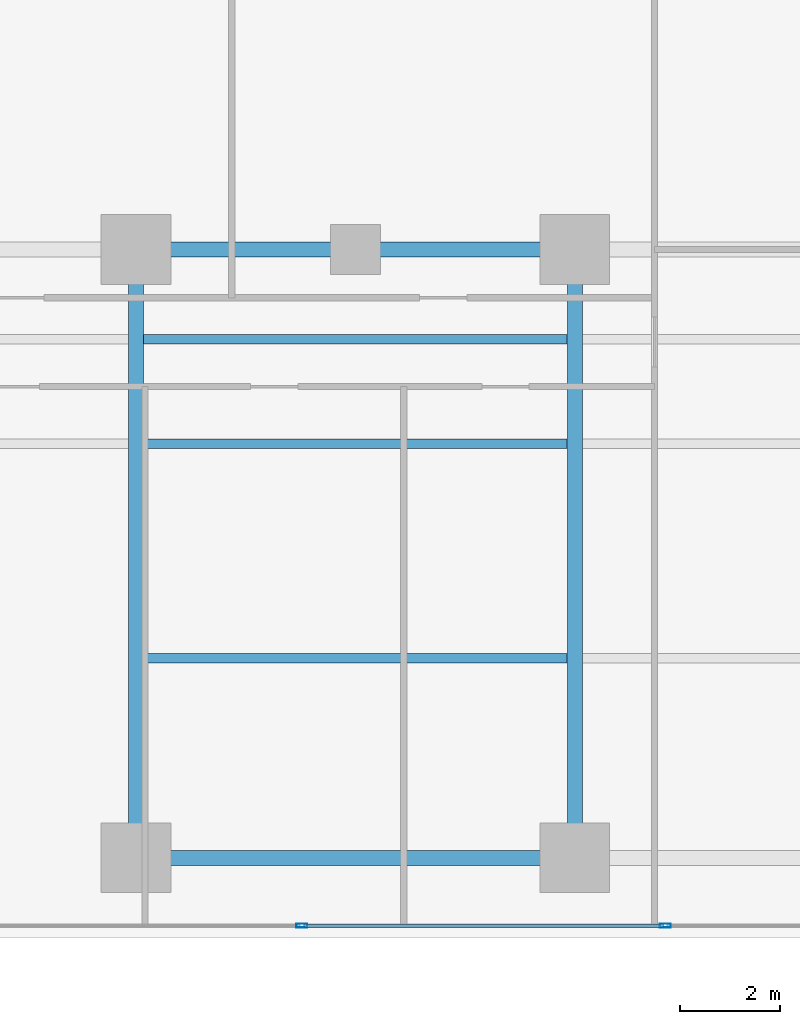
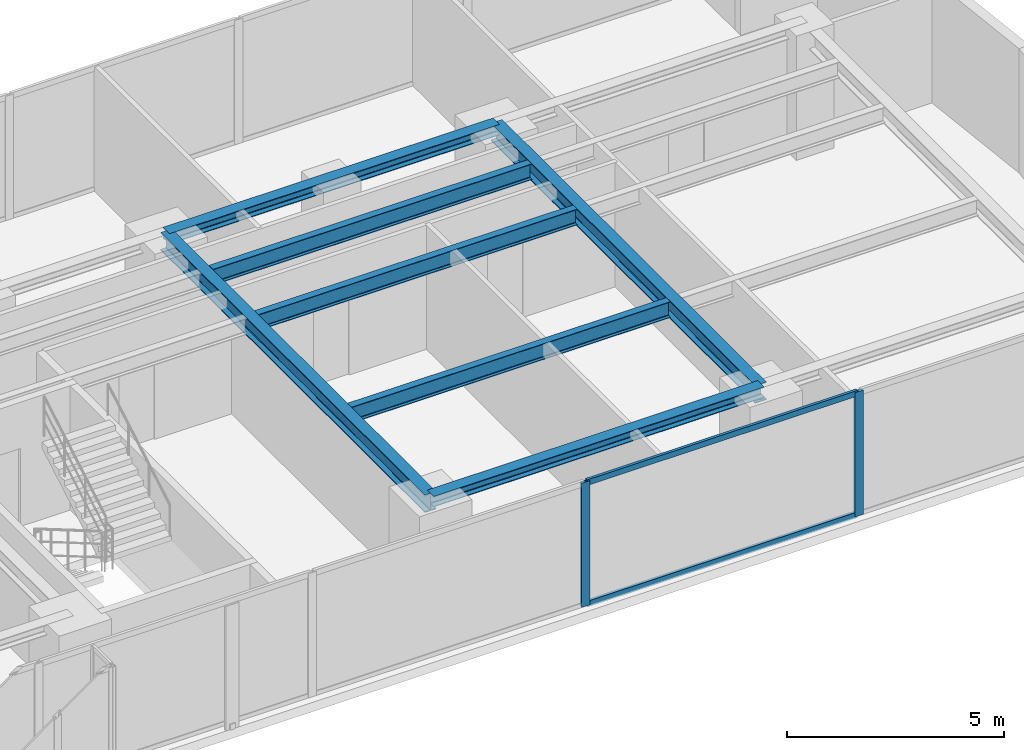
# One storey, part 11 of 25: 7 beams, 4 members, 1 element without a shape of its own.
"""IFC4 building model written with IfcOpenShell, lengths in metres."""

import ifcopenshell
import ifcopenshell.guid

model = None  # the IFC model being written
_history = None  # IfcOwnerHistory: only IFC2X3 demands one
_inside = {}  # id of a spatial element -> (the spatial element, [elements in it])
_under = {}  # id of a project, library or spatial element -> (it, [spatial elements below it])
_declared = {}  # id of a project -> (the project, [libraries it declares])
_typed = {}  # id of a type object -> (the type object, [elements of that type])
_made_of = {}  # id of a material, layer set ... -> (it, [elements and type objects made of it])


def new_model(schema):
    """Start an empty IFC model of exactly this schema.

    Asked for "IFC4X3", IfcOpenShell would pick the latest addendum, in which some entities
    have other attributes; the version numbers below select the first issue.
    IFC2X3 requires an IfcOwnerHistory on every rooted entity: one is made here for all.
    """
    global model, _history
    if schema == "IFC4X3":
        model = ifcopenshell.file(schema_version=(4, 3, 0, 0))
    else:
        model = ifcopenshell.file(schema=schema)
    _inside.clear()
    _under.clear()
    _declared.clear()
    _typed.clear()
    _made_of.clear()
    _history = None
    if model.schema == "IFC2X3":
        org = make("IfcOrganization", Name="unknown")
        user = make(
            "IfcPersonAndOrganization",
            ThePerson=make("IfcPerson", FamilyName="unknown"),
            TheOrganization=org,
        )
        app = make(
            "IfcApplication",
            ApplicationDeveloper=org,
            Version="unknown",
            ApplicationFullName="unknown",
            ApplicationIdentifier="unknown",
        )
        _history = make(
            "IfcOwnerHistory",
            OwningUser=user,
            OwningApplication=app,
            ChangeAction="ADDED",
            CreationDate=0,
        )
    return model


def make(cls, **values):
    """One entity of the class cls with the attributes given. An attribute that is None is left unset."""
    return model.create_entity(
        cls, **{name: value for name, value in values.items() if value is not None}
    )


def rooted(cls, **values):
    """An entity with a GlobalId (a new one), such as an element, a storey or a relation."""
    return make(cls, GlobalId=ifcopenshell.guid.new(), OwnerHistory=_history, **values)


def si_unit(unit_type, name, prefix=None):
    """IfcSIUnit, for example si_unit("LENGTHUNIT", "METRE", prefix="MILLI")."""
    return make("IfcSIUnit", UnitType=unit_type, Prefix=prefix, Name=name)


def assignment(units):
    """IfcUnitAssignment: the units of a project."""
    return None if units is None else make("IfcUnitAssignment", Units=units)


def point(xyz):
    """IfcCartesianPoint."""
    return None if xyz is None else make("IfcCartesianPoint", Coordinates=xyz)


def direction(xyz):
    """IfcDirection."""
    return None if xyz is None else make("IfcDirection", DirectionRatios=xyz)


def frame(location, z_axis=None, x_axis=None):
    """IfcAxis2Placement3D, a coordinate frame: its origin and axes. An axis left out is left unset."""
    return make(
        "IfcAxis2Placement3D",
        Location=point(location),
        Axis=direction(z_axis),
        RefDirection=direction(x_axis),
    )


def frame_2d(location, x_axis=None):
    """IfcAxis2Placement2D, a coordinate frame in the plane: its origin and x axis."""
    return make(
        "IfcAxis2Placement2D", Location=point(location), RefDirection=direction(x_axis)
    )


def origin():
    """The frame at (0, 0, 0) with its axes left unset."""
    return frame((0.0, 0.0, 0.0))


def origin_with_axes():
    """The frame at (0, 0, 0) with the z axis (0, 0, 1) and the x axis (1, 0, 0) written out."""
    return frame((0.0, 0.0, 0.0), z_axis=(0.0, 0.0, 1.0), x_axis=(1.0, 0.0, 0.0))


def origin_2d():
    """The frame at (0, 0) in the plane with its x axis left unset."""
    return frame_2d((0.0, 0.0))


def place(relative_to, where):
    """IfcLocalPlacement: puts the frame where relative to a parent placement (None: the world)."""
    return make(
        "IfcLocalPlacement", PlacementRelTo=relative_to, RelativePlacement=where
    )


def context(
    kind, dimensions, precision=None, world=None, true_north=None, identifier=None
):
    """IfcGeometricRepresentationContext, for example the 3D "Model" context."""
    return make(
        "IfcGeometricRepresentationContext",
        ContextIdentifier=identifier,
        ContextType=kind,
        CoordinateSpaceDimension=dimensions,
        Precision=precision,
        WorldCoordinateSystem=world,
        TrueNorth=true_north,
    )


def subcontext(parent, identifier, kind, view, scale=None):
    """IfcGeometricRepresentationSubContext, for example "Body" below "Model"."""
    return make(
        "IfcGeometricRepresentationSubContext",
        ContextIdentifier=identifier,
        ContextType=kind,
        ParentContext=parent,
        TargetScale=scale,
        TargetView=view,
    )


def project(units=None, contexts=None):
    """IfcProject with its units and contexts."""
    return rooted(
        "IfcProject",
        Name="project",
        RepresentationContexts=contexts,
        UnitsInContext=assignment(units),
    )


def spatial(cls, under=None, at=None, **own):
    """A site, building, storey or space (cls), placed at a placement, below another one or the project."""
    s = rooted(cls, ObjectPlacement=at, **own)
    if under is not None:
        _under.setdefault(under.id(), (under, []))[1].append(s)
    return s


def profile(cls, at=None, kind="AREA", **sizes):
    """A parametric profile (cls). Its sizes go by their IFC names, for example OverallWidth=200.0."""
    return make(cls, ProfileType=kind, Position=at, **sizes)


def hollow_rectangle(**sizes):
    """IfcRectangleHollowProfileDef."""
    return profile("IfcRectangleHollowProfileDef", **sizes)


def i_section(**sizes):
    """IfcIShapeProfileDef."""
    return profile("IfcIShapeProfileDef", **sizes)


def extrude(swept, where, along, depth):
    """IfcExtrudedAreaSolid: the profile swept, set in the frame where, extruded along a direction by depth."""
    return make(
        "IfcExtrudedAreaSolid",
        SweptArea=swept,
        Position=where,
        ExtrudedDirection=direction(along),
        Depth=depth,
    )


def shape(context_of_items, identifier, shape_type, items):
    """IfcShapeRepresentation: the items that make up one representation, for example the "Body"."""
    return make(
        "IfcShapeRepresentation",
        ContextOfItems=context_of_items,
        RepresentationIdentifier=identifier,
        RepresentationType=shape_type,
        Items=items,
    )


def source(mapping_origin, context_of_items, identifier, shape_type, items):
    """IfcRepresentationMap: a shape defined once, which mapped items show again and again."""
    return make(
        "IfcRepresentationMap",
        MappingOrigin=mapping_origin,
        MappedRepresentation=shape(context_of_items, identifier, shape_type, items),
    )


def transform(
    local_origin,
    x_axis=None,
    y_axis=None,
    z_axis=None,
    scale=None,
    scale2=None,
    scale3=None,
    uniform=True,
):
    """IfcCartesianTransformationOperator3D, or its non-uniform kind. x_axis, y_axis, z_axis: its Axis1, 2, 3."""
    if uniform:
        return make(
            "IfcCartesianTransformationOperator3D",
            Axis1=direction(x_axis),
            Axis2=direction(y_axis),
            LocalOrigin=point(local_origin),
            Scale=scale,
            Axis3=direction(z_axis),
        )
    return make(
        "IfcCartesianTransformationOperator3DnonUniform",
        Axis1=direction(x_axis),
        Axis2=direction(y_axis),
        LocalOrigin=point(local_origin),
        Scale=scale,
        Axis3=direction(z_axis),
        Scale2=scale2,
        Scale3=scale3,
    )


def mapped(mapping_source, mapping_target):
    """IfcMappedItem: shows the shape of a source again, moved by a transform."""
    return make(
        "IfcMappedItem", MappingSource=mapping_source, MappingTarget=mapping_target
    )


def material(Name=None, Category=None):
    """IfcMaterial."""
    return make("IfcMaterial", Name=Name, Category=Category)


def layer(
    of_material, thickness, ventilated=None, Name=None, Category=None, Priority=None
):
    """IfcMaterialLayer: one layer of a wall or slab, of a material (None: an air gap)."""
    return make(
        "IfcMaterialLayer",
        Material=of_material,
        LayerThickness=thickness,
        IsVentilated=ventilated,
        Name=Name,
        Category=Category,
        Priority=Priority,
    )


def layer_set(layers, Name=None):
    """IfcMaterialLayerSet."""
    return make("IfcMaterialLayerSet", MaterialLayers=layers, LayerSetName=Name)


def material_profile(
    of_material, cross_section, Name=None, Category=None, Priority=None
):
    """IfcMaterialProfile: a cross section and its material."""
    return make(
        "IfcMaterialProfile",
        Name=Name,
        Material=of_material,
        Profile=cross_section,
        Priority=Priority,
        Category=Category,
    )


def profile_set(profiles, Name=None, composite=None):
    """IfcMaterialProfileSet."""
    return make(
        "IfcMaterialProfileSet",
        Name=Name,
        MaterialProfiles=profiles,
        CompositeProfile=composite,
    )


def made_of(thing, what):
    """Note that an element or type object is made of a material, layer set ...; save() writes the relation."""
    if what is not None:
        _made_of.setdefault(what.id(), (what, []))[1].append(thing)
    return thing


def type_object(cls, material=None, **own):
    """A type object (cls), such as IfcWallType, which elements share."""
    return made_of(rooted(cls, **own), material)


def element(
    cls,
    number,
    at=None,
    inside=None,
    cuts=None,
    type_object=None,
    material=None,
    context=None,
    identifier="Body",
    shape_type=None,
    held_by="IfcProductDefinitionShape",
    body=None,
    shapes=None,
    **own,
):
    """One element of the class cls, such as IfcWall. Its Tag is "e" and its number.

    at: its placement. inside: the storey or other place that contains it. cuts: it is an
    opening in that element (IfcRelVoidsElement). A single representation is given by context,
    identifier, shape_type and body (its items); several are given by shapes. held_by: the class
    of the entity that holds the representations. save() writes the other relations.
    """
    e = rooted(cls, Tag="e%d" % number, ObjectPlacement=at, **own)
    if body is not None:
        shapes = [shape(context, identifier, shape_type, body)]
    if shapes is not None:
        e.Representation = make(held_by, Representations=shapes)
    if inside is not None:
        _inside.setdefault(inside.id(), (inside, []))[1].append(e)
    if cuts is not None:
        rooted(
            "IfcRelVoidsElement", RelatingBuildingElement=cuts, RelatedOpeningElement=e
        )
    if type_object is not None:
        _typed.setdefault(type_object.id(), (type_object, []))[1].append(e)
    return made_of(e, material)


def aggregate(whole, parts):
    """IfcRelAggregates: a whole, such as a stair, and the parts it consists of."""
    return rooted("IfcRelAggregates", RelatingObject=whole, RelatedObjects=parts)


def save(model, path):
    """Write the relations noted so far, then the file.

    IfcRelAggregates (storeys below a building ...), IfcRelContainedInSpatialStructure (elements
    in a storey), IfcRelDefinesByType, IfcRelAssociatesMaterial and IfcRelDeclares: one each for
    every whole, place, type object, material and project.
    """
    for whole, parts in _under.values():
        aggregate(whole, parts)
    for where, things in _inside.values():
        rooted(
            "IfcRelContainedInSpatialStructure",
            RelatedElements=things,
            RelatingStructure=where,
        )
    for kind, things in _typed.values():
        rooted("IfcRelDefinesByType", RelatedObjects=things, RelatingType=kind)
    for what, things in _made_of.values():
        rooted("IfcRelAssociatesMaterial", RelatedObjects=things, RelatingMaterial=what)
    for by, libraries in _declared.values():
        rooted("IfcRelDeclares", RelatingContext=by, RelatedDefinitions=libraries)
    model.write(path)


model = new_model("IFC4")

# Units and contexts
model_context = context("Model", 3, precision=1e-05, world=origin(), true_north=direction((0.0, 1.0)))
body_context = subcontext(model_context, "Body", "Model", "MODEL_VIEW")
ifc_project = project(units=[si_unit("LENGTHUNIT", "METRE"), si_unit("AREAUNIT", "SQUARE_METRE"), si_unit("VOLUMEUNIT", "CUBIC_METRE"), si_unit("PLANEANGLEUNIT", "RADIAN"), si_unit("MASSUNIT", "GRAM", prefix="KILO")], contexts=[model_context])

# Site, building, storey
site_placement = place(None, origin())
site = spatial("IfcSite", under=ifc_project, at=site_placement, CompositionType="ELEMENT")
building_placement = place(site_placement, origin())
building = spatial("IfcBuilding", under=site, at=building_placement, Name="Kolvaren Waterfront Exchange", CompositionType="ELEMENT")
storey_placement = place(building_placement, frame((0.0, 0.0, 106.89990234375)))
storey = spatial("IfcBuildingStorey", under=building, at=storey_placement, Name="L27", CompositionType="ELEMENT", Elevation=106.89990234375)

# Beams
ifc_material_1 = material(Name="Steel S355", Category="steel")
ifc_material_profile_1 = material_profile(ifc_material_1, i_section(OverallWidth=0.300048828125, OverallDepth=0.300048828125, WebThickness=0.010986328125, FlangeThickness=0.01904296875, FilletRadius=0.027099609375, at=origin_2d()), Name="HEB300")
ifc_profile_set_1 = profile_set([ifc_material_profile_1], Name="Steel S355")
beam_type_1 = type_object("IfcBeamType", Name="STR-BM-HEB300", PredefinedType="SPANDREL", material=ifc_profile_set_1)
for number, where, z_axis, x_axis, name in (
    (1, (36.800048828125, 5.199951171875, 3.35009765625), (1.0, 0.0, 0.0), (0.0, 1.0, 0.0), "L27 east-arm spandrel S3"),
    (2, (36.800048828125, 17.39990234375, 3.35009765625), (1.0, 0.0, 0.0), (0.0, 1.0, 0.0), "L27 east-arm spandrel N3"),
):
    element("IfcBeam", number, at=place(storey_placement, frame(where, z_axis=z_axis, x_axis=x_axis)), inside=storey, type_object=beam_type_1, Name=name, PredefinedType="SPANDREL", context=body_context, shape_type="SweptSolid", body=[
        extrude(i_section(OverallWidth=0.300048828125, OverallDepth=0.300048828125, WebThickness=0.010986328125, FlangeThickness=0.01904296875, FilletRadius=0.027099609375, at=origin_2d()), origin(), (0.0, 0.0, 1.0), 8.800048828125),
    ])
ifc_material_profile_2 = material_profile(ifc_material_1, i_section(OverallWidth=0.300048828125, OverallDepth=0.5, WebThickness=0.014404296875, FlangeThickness=0.028076171875, FilletRadius=0.027099609375, at=origin_2d()), Name="HEB500")
ifc_profile_set_2 = profile_set([ifc_material_profile_2], Name="Steel S355")
beam_type_2 = type_object("IfcBeamType", Name="STR-BM-HEB500", PredefinedType="BEAM", material=ifc_profile_set_2)
for number, where, z_axis, x_axis, name in (
    (3, (36.800048828125, 5.199951171875, 3.25), (0.0, 1.0, 0.0), (-1.0, 0.0, 0.0), "L27 east-arm transverse girder X36"),
    (4, (45.60009765625, 5.199951171875, 3.25), (0.0, 1.0, 0.0), (-1.0, 0.0, 0.0), "L27 east-arm transverse girder X45"),
):
    element("IfcBeam", number, at=place(storey_placement, frame(where, z_axis=z_axis, x_axis=x_axis)), inside=storey, type_object=beam_type_2, Name=name, PredefinedType="BEAM", context=body_context, shape_type="SweptSolid", body=[
        extrude(i_section(OverallWidth=0.300048828125, OverallDepth=0.5, WebThickness=0.014404296875, FlangeThickness=0.028076171875, FilletRadius=0.027099609375, at=origin_2d()), origin(), (0.0, 0.0, 1.0), 12.199951171875),
    ])
ifc_material_profile_3 = material_profile(ifc_material_1, i_section(OverallWidth=0.18994140625, OverallDepth=0.449951171875, WebThickness=0.009521484375, FlangeThickness=0.0146484375, FilletRadius=0.02099609375, at=origin_2d()), Name="IPE450")
ifc_profile_set_3 = profile_set([ifc_material_profile_3], Name="Steel S355")
beam_type_3 = type_object("IfcBeamType", Name="STR-BM-IPE450", PredefinedType="JOIST", material=ifc_profile_set_3)
for number, where, z_axis, x_axis, name in (
    (5, (36.951904296875, 13.5, 3.275146484375), (1.0, 0.0, 0.0), (0.0, 1.0, 0.0), "L27 east-arm composite joist 3A"),
    (6, (36.951904296875, 15.60009765625, 3.275146484375), (1.0, 0.0, 0.0), (0.0, 1.0, 0.0), "L27 east-arm composite joist 3C"),
    (7, (36.951904296875, 9.199951171875, 3.275146484375), (1.0, 0.0, 0.0), (0.0, 1.0, 0.0), "L27 east-arm composite joist 3B"),
):
    element("IfcBeam", number, at=place(storey_placement, frame(where, z_axis=z_axis, x_axis=x_axis)), inside=storey, type_object=beam_type_3, Name=name, PredefinedType="JOIST", context=body_context, shape_type="SweptSolid", body=[
        extrude(i_section(OverallWidth=0.18994140625, OverallDepth=0.449951171875, WebThickness=0.009521484375, FlangeThickness=0.0146484375, FilletRadius=0.02099609375, at=origin_2d()), origin(), (0.0, 0.0, 1.0), 8.49609375),
    ])

# Curtain wall, members
ifc_material_2 = material(Name="Anodised bronze aluminium 6063-T6", Category="aluminium")
ifc_layer = layer(ifc_material_2, 0.219970703125, Name="Anodised bronze aluminium 6063-T6")
ifc_layer_set = layer_set([ifc_layer], Name="Anodised bronze aluminium 6063-T6")
curtain_wall_type = type_object("IfcCurtainWallType", Name="ARC-CW-SYS1", PredefinedType="USERDEFINED", material=ifc_layer_set)
curtain_wall_placement = place(storey_placement, origin())
curtain_wall = element("IfcCurtainWall", 8, at=curtain_wall_placement, inside=storey, type_object=curtain_wall_type, Name="L27 stick curtain wall CW1 (CW-L27-S)", ObjectType="STICK CURTAIN WALL", PredefinedType="USERDEFINED")
ifc_material_3 = material(Name="Anodised aluminium 6063-T6", Category="aluminium")
ifc_material_profile_4 = material_profile(ifc_material_3, hollow_rectangle(XDim=0.074951171875, YDim=0.159912109375, WallThickness=0.00439453125, at=origin_2d()), Name="ALU-TRN-160x75x4.5")
ifc_profile_set_4 = profile_set([ifc_material_profile_4], Name="Anodised aluminium 6063-T6")
member_type_1 = type_object("IfcMemberType", Name="ARC-CWT-160", PredefinedType="USERDEFINED", material=ifc_profile_set_4)
shared_shape_1 = source(origin_with_axes(), body_context, "Body", "SweptSolid", [
    extrude(hollow_rectangle(XDim=0.074951171875, YDim=0.159912109375, WallThickness=0.00439453125, at=origin_2d()), origin(), (0.0, 0.0, 1.0), 7.205810546875),
])
member_1_placement = place(storey_placement, frame((40.16845703125, 3.840087890625, 0.03759765625), z_axis=(1.0, 0.0, 0.0), x_axis=(0.0, 1.0, 0.0)))
member_1 = element("IfcMember", 9, at=member_1_placement, type_object=member_type_1, Name="CW1 transom 6.1", ObjectType="TRANSOM", PredefinedType="USERDEFINED", context=body_context, shape_type="MappedRepresentation", body=[
    mapped(shared_shape_1, transform((0.0, 0.0, 0.0), x_axis=(1.0, 0.0, 0.0), y_axis=(0.0, 1.0, 0.0), z_axis=(0.0, 0.0, 1.0), scale=1.0)),
])
member_2_placement = place(storey_placement, frame((40.16845703125, 3.840087890625, 3.462646484375), z_axis=(1.0, 0.0, 0.0), x_axis=(0.0, 1.0, 0.0)))
member_2 = element("IfcMember", 10, at=member_2_placement, type_object=member_type_1, Name="CW1 transom 6.2", ObjectType="TRANSOM", PredefinedType="USERDEFINED", context=body_context, shape_type="MappedRepresentation", body=[
    mapped(shared_shape_1, transform((0.0, 0.0, 0.0), x_axis=(1.0, 0.0, 0.0), y_axis=(0.0, 1.0, 0.0), z_axis=(0.0, 0.0, 1.0), scale=1.0)),
])
ifc_material_profile_5 = material_profile(ifc_material_3, hollow_rectangle(XDim=0.080078125, YDim=0.219970703125, WallThickness=0.0048828125, at=origin_2d()), Name="ALU-MUL-220x80x5")
ifc_profile_set_5 = profile_set([ifc_material_profile_5], Name="Anodised aluminium 6063-T6")
member_type_2 = type_object("IfcMemberType", Name="ARC-CWM-220", PredefinedType="MULLION", material=ifc_profile_set_5)
shared_shape_2 = source(origin_with_axes(), body_context, "Body", "SweptSolid", [
    extrude(hollow_rectangle(XDim=0.080078125, YDim=0.219970703125, WallThickness=0.0048828125, at=origin_2d()), origin(), (0.0, 0.0, 1.0), 3.5),
])
member_3_placement = place(storey_placement, frame((40.128662109375, 3.840087890625, 0.0), z_axis=(0.0, 0.0, 1.0), x_axis=(0.0, 1.0, 0.0)))
member_3 = element("IfcMember", 11, at=member_3_placement, type_object=member_type_2, Name="CW1 mullion 6", PredefinedType="MULLION", context=body_context, shape_type="MappedRepresentation", body=[
    mapped(shared_shape_2, transform((0.0, 0.0, 0.0), x_axis=(1.0, 0.0, 0.0), y_axis=(0.0, 1.0, 0.0), z_axis=(0.0, 0.0, 1.0), scale=1.0)),
])
member_4_placement = place(storey_placement, frame((47.414306640625, 3.840087890625, 0.0), z_axis=(0.0, 0.0, 1.0), x_axis=(0.0, 1.0, 0.0)))
member_4 = element("IfcMember", 12, at=member_4_placement, type_object=member_type_2, Name="CW1 mullion 7", PredefinedType="MULLION", context=body_context, shape_type="MappedRepresentation", body=[
    mapped(shared_shape_2, transform((0.0, 0.0, 0.0), x_axis=(1.0, 0.0, 0.0), y_axis=(0.0, 1.0, 0.0), z_axis=(0.0, 0.0, 1.0), scale=1.0)),
])
aggregate(curtain_wall, [member_3, member_4, member_1, member_2])

save(model, "model.ifc")
